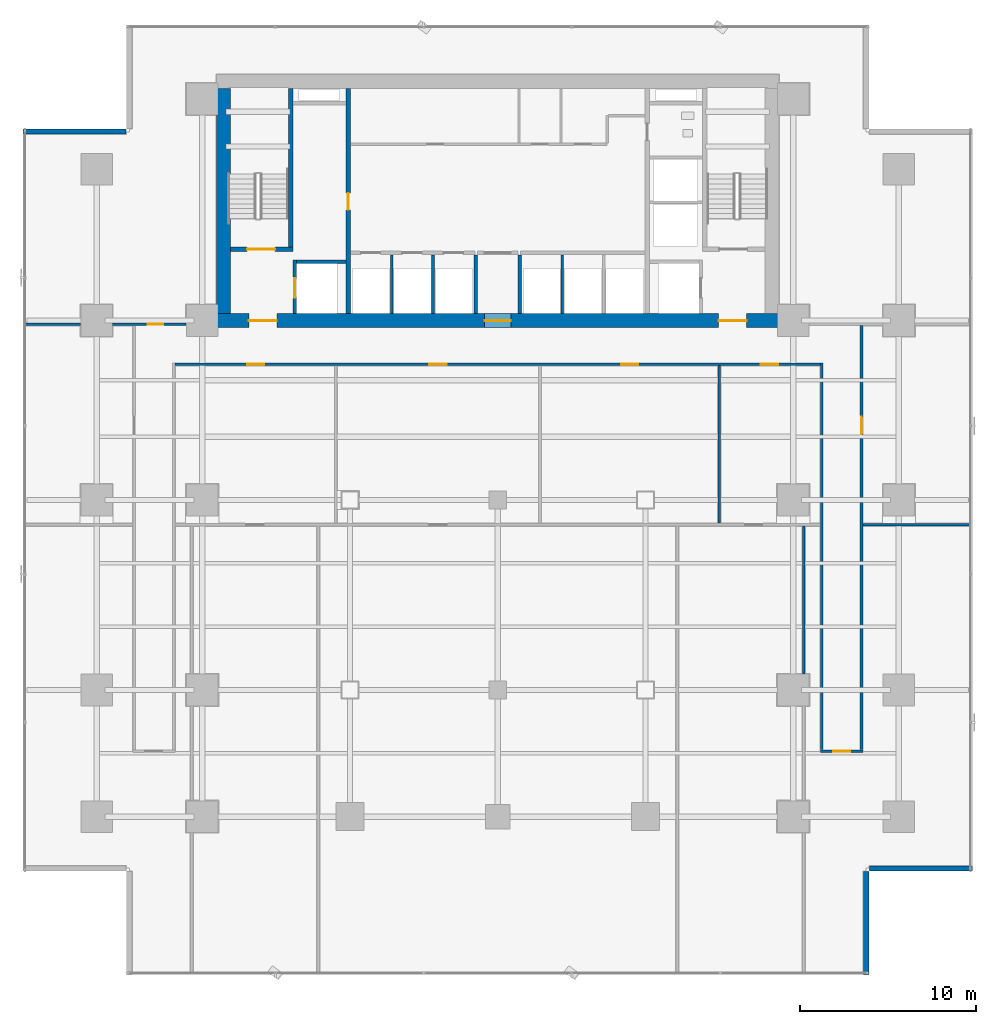
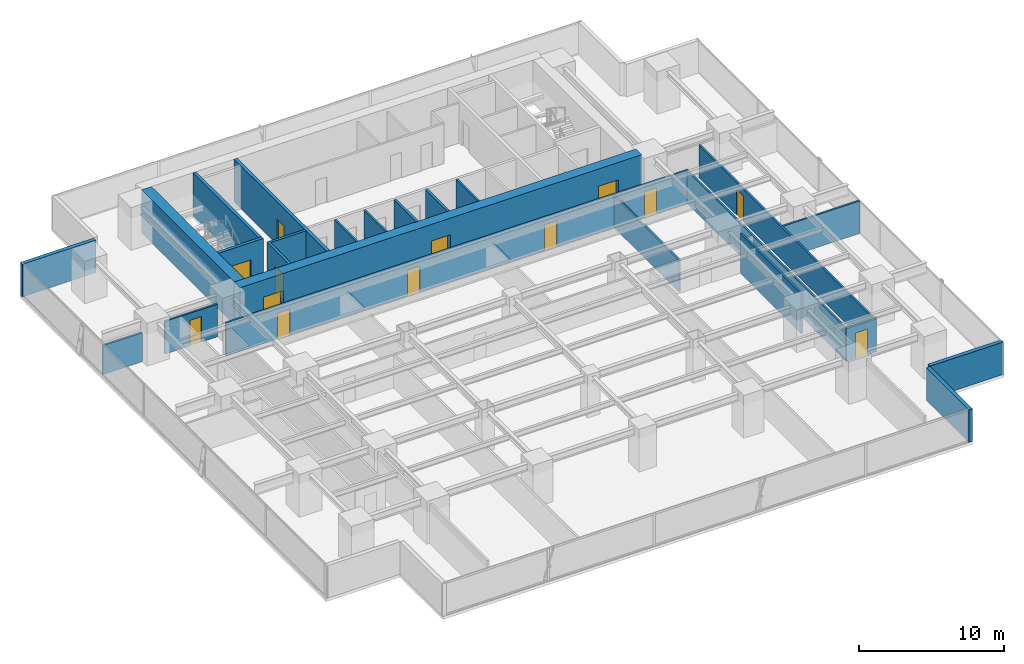
# One storey, part 24 of 32: 24 walls, 13 doors, 13 openings.
"""IFC4 building model written with IfcOpenShell, lengths in metres."""

from ifc_helpers import new_model, si_unit, direction, frame, frame_2d, origin, place, context, subcontext, project, spatial, rectangle, extrude, source, transform, mapped, material, layer, layer_set, type_object, element, fill, save


model = new_model("IFC4")

# Units and contexts
model_context = context("Model", 3, precision=1e-05, world=origin(), true_north=direction((0.0, 1.0)))
body_context = subcontext(model_context, "Body", "Model", "MODEL_VIEW")
ifc_project = project(units=[si_unit("LENGTHUNIT", "METRE"), si_unit("AREAUNIT", "SQUARE_METRE"), si_unit("VOLUMEUNIT", "CUBIC_METRE"), si_unit("PLANEANGLEUNIT", "RADIAN"), si_unit("MASSUNIT", "GRAM", prefix="KILO")], contexts=[model_context])

# Site, building, storey
site_placement = place(None, origin())
site = spatial("IfcSite", under=ifc_project, at=site_placement, CompositionType="ELEMENT")
building_placement = place(site_placement, origin())
building = spatial("IfcBuilding", under=site, at=building_placement, Name="Sumidabori Civic Tower", CompositionType="ELEMENT")
storey_placement = place(building_placement, frame((0.0, 0.0, 45.199951171875)))
storey = spatial("IfcBuildingStorey", under=building, at=storey_placement, Name="L11", CompositionType="ELEMENT", Elevation=45.199951171875)

# Wall, openings, doors
ifc_material_1 = material(Name="Concrete C60/75", Category="concrete")
ifc_layer_1 = layer(ifc_material_1, 0.800048828125, Name="Concrete C60/75")
ifc_layer_set_1 = layer_set([ifc_layer_1], Name="Concrete C60/75")
wall_type_1 = type_object("IfcWallType", Name="WL-CORE-800", PredefinedType="SHEAR", material=ifc_layer_set_1)
shared_shape_1 = source(origin(), body_context, "Body", "SweptSolid", [
    extrude(rectangle(XDim=32.0, YDim=0.800048828125, at=frame_2d((16.0, 0.0))), origin(), (0.0, 0.0, 1.0), 3.60009765625),
])
wall_1_placement = place(storey_placement, frame((-16.0, 10.199951171875, 0.0), z_axis=(0.0, 0.0, 1.0), x_axis=(1.0, 0.0, 0.0)))
wall_1 = element("IfcWall", 1, at=wall_1_placement, inside=storey, type_object=wall_type_1, Name="Core Shear Wall L11 S", PredefinedType="SHEAR", context=body_context, shape_type="MappedRepresentation", body=[
    mapped(shared_shape_1, transform((0.0, 0.0, 0.0), x_axis=(1.0, 0.0, 0.0), y_axis=(0.0, 1.0, 0.0), z_axis=(0.0, 0.0, 1.0), scale=1.0)),
])
opening_1_placement = place(wall_1_placement, frame((1.85009765625, 0.0, 0.0)))
opening_1 = element("IfcOpeningElement", 2, at=opening_1_placement, cuts=wall_1, Name="Opening DR-FD4", PredefinedType="OPENING", context=body_context, shape_type="SweptSolid", body=[
    extrude(rectangle(XDim=1.60009765625, YDim=2.14990234375, at=frame_2d((0.800048828125, 1.074951171875))), frame((0.0, 0.412109375, 0.0), z_axis=(0.0, -1.0, 0.0), x_axis=(1.0, 0.0, 0.0)), (0.0, 0.0, 1.0), 0.823974609375),
])
opening_2_placement = place(wall_1_placement, frame((28.550048828125, 0.0, 0.0)))
opening_2 = element("IfcOpeningElement", 3, at=opening_2_placement, cuts=wall_1, Name="Opening DR-FD4", PredefinedType="OPENING", context=body_context, shape_type="SweptSolid", body=[
    extrude(rectangle(XDim=1.60009765625, YDim=2.14990234375, at=frame_2d((0.800048828125, 1.074951171875))), frame((0.0, 0.412109375, 0.0), z_axis=(0.0, -1.0, 0.0), x_axis=(1.0, 0.0, 0.0)), (0.0, 0.0, 1.0), 0.823974609375),
])
opening_3_placement = place(wall_1_placement, frame((15.25, 0.0, 0.0)))
opening_3 = element("IfcOpeningElement", 4, at=opening_3_placement, cuts=wall_1, Name="Opening DR-FD3", PredefinedType="OPENING", context=body_context, shape_type="SweptSolid", body=[
    extrude(rectangle(XDim=1.5, YDim=2.199951171875, at=frame_2d((0.75, 1.10009765625))), frame((0.0, 0.412109375, 0.0), z_axis=(0.0, -1.0, 0.0), x_axis=(1.0, 0.0, 0.0)), (0.0, 0.0, 1.0), 0.823974609375),
])
ifc_material_2 = material(Name="Steel SN490", Category="steel")
door_type_1 = type_object("IfcDoorType", Name="DR-FD4", OperationType="DOUBLE_DOOR_SINGLE_SWING", PredefinedType="DOOR", material=ifc_material_2)
shared_shape_2 = source(origin(), body_context, "Body", "SweptSolid", [
    extrude(rectangle(XDim=1.60009765625, YDim=2.14990234375, at=frame_2d((0.800048828125, 1.074951171875))), frame((0.0, 0.02490234375, 0.0), z_axis=(0.0, -1.0, 0.0), x_axis=(1.0, 0.0, 0.0)), (0.0, 0.0, 1.0), 0.050048828125),
])
door_1_placement = place(opening_1_placement, origin())
door_1 = element("IfcDoor", 5, at=door_1_placement, inside=storey, type_object=door_type_1, Name="Door DR:L11:ELOB-W", OperationType="DOUBLE_DOOR_SINGLE_SWING", OverallHeight=2.14990234375, OverallWidth=1.60009765625, PredefinedType="DOOR", context=body_context, shape_type="MappedRepresentation", body=[
    mapped(shared_shape_2, transform((0.0, 0.0, 0.0), x_axis=(1.0, 0.0, 0.0), y_axis=(0.0, 1.0, 0.0), z_axis=(0.0, 0.0, 1.0), scale=1.0)),
])
fill(opening_1, door_1)
door_2_placement = place(opening_2_placement, origin())
door_2 = element("IfcDoor", 6, at=door_2_placement, inside=storey, type_object=door_type_1, Name="Door DR:L11:ELOB-E", OperationType="DOUBLE_DOOR_SINGLE_SWING", OverallHeight=2.14990234375, OverallWidth=1.60009765625, PredefinedType="DOOR", context=body_context, shape_type="MappedRepresentation", body=[
    mapped(shared_shape_2, transform((0.0, 0.0, 0.0), x_axis=(1.0, 0.0, 0.0), y_axis=(0.0, 1.0, 0.0), z_axis=(0.0, 0.0, 1.0), scale=1.0)),
])
fill(opening_2, door_2)
door_type_2 = type_object("IfcDoorType", Name="DR-FD-DBL", OperationType="DOUBLE_DOOR_SINGLE_SWING", PredefinedType="DOOR", material=ifc_material_2)
shared_shape_3 = source(origin(), body_context, "Body", "SweptSolid", [
    extrude(rectangle(XDim=1.5, YDim=2.199951171875, at=frame_2d((0.75, 1.10009765625))), frame((0.0, 0.02490234375, 0.0), z_axis=(0.0, -1.0, 0.0), x_axis=(1.0, 0.0, 0.0)), (0.0, 0.0, 1.0), 0.050048828125),
])
door_3_placement = place(opening_3_placement, origin())
door_3 = element("IfcDoor", 7, at=door_3_placement, inside=storey, type_object=door_type_2, Name="Door DR:L11:THROAT-OUT", OperationType="DOUBLE_DOOR_SINGLE_SWING", OverallHeight=2.199951171875, OverallWidth=1.5, PredefinedType="DOOR", context=body_context, shape_type="MappedRepresentation", body=[
    mapped(shared_shape_3, transform((0.0, 0.0, 0.0), x_axis=(1.0, 0.0, 0.0), y_axis=(0.0, 1.0, 0.0), z_axis=(0.0, 0.0, 1.0), scale=1.0)),
])
fill(opening_3, door_3)

# Wall
shared_shape_4 = source(origin(), body_context, "Body", "SweptSolid", [
    extrude(rectangle(XDim=12.7998046875, YDim=0.800048828125, at=frame_2d((6.39990234375, 0.0))), origin(), (0.0, 0.0, 1.0), 3.60009765625),
])
wall_2_placement = place(storey_placement, frame((-15.60009765625, 10.60009765625, 0.0), z_axis=(0.0, 0.0, 1.0), x_axis=(0.0, 1.0, 0.0)))
element("IfcWall", 8, at=wall_2_placement, inside=storey, type_object=wall_type_1, Name="Core Shear Wall L11 W", PredefinedType="SHEAR", context=body_context, shape_type="MappedRepresentation", body=[
    mapped(shared_shape_4, transform((0.0, 0.0, 0.0), x_axis=(1.0, 0.0, 0.0), y_axis=(0.0, 1.0, 0.0), z_axis=(0.0, 0.0, 1.0), scale=1.0)),
])

# Wall, opening, door
ifc_material_3 = material(Name="Concrete C50/60", Category="concrete")
ifc_layer_2 = layer(ifc_material_3, 0.25, Name="Concrete C50/60")
ifc_layer_set_2 = layer_set([ifc_layer_2], Name="Concrete C50/60")
wall_type_2 = type_object("IfcWallType", Name="WL-SHAFT-250", PredefinedType="SHEAR", material=ifc_layer_set_2)
shared_shape_5 = source(origin(), body_context, "Body", "SweptSolid", [
    extrude(rectangle(XDim=12.7998046875, YDim=0.25, at=frame_2d((6.39990234375, 0.0))), origin(), (0.0, 0.0, 1.0), 3.60009765625),
])
wall_3_placement = place(storey_placement, frame((-8.5, 10.60009765625, 0.0), z_axis=(0.0, 0.0, 1.0), x_axis=(0.0, 1.0, 0.0)))
wall_3 = element("IfcWall", 9, at=wall_3_placement, inside=storey, type_object=wall_type_2, Name="Core Shear Wall L11 WEB-W", PredefinedType="SHEAR", context=body_context, shape_type="MappedRepresentation", body=[
    mapped(shared_shape_5, transform((0.0, 0.0, 0.0), x_axis=(1.0, 0.0, 0.0), y_axis=(0.0, 1.0, 0.0), z_axis=(0.0, 0.0, 1.0), scale=1.0)),
])
opening_4_placement = place(wall_3_placement, frame((5.89990234375, 0.0, 0.0)))
opening_4 = element("IfcOpeningElement", 10, at=opening_4_placement, cuts=wall_3, Name="Opening DR-FD2", PredefinedType="OPENING", context=body_context, shape_type="SweptSolid", body=[
    extrude(rectangle(XDim=0.949951171875, YDim=2.14990234375, at=frame_2d((0.47509765625, 1.074951171875))), frame((0.0, 0.136962890625, 0.0), z_axis=(0.0, -1.0, 0.0), x_axis=(1.0, 0.0, 0.0)), (0.0, 0.0, 1.0), 0.27392578125),
])
door_type_3 = type_object("IfcDoorType", Name="DR-FD2", OperationType="NOTDEFINED", PredefinedType="DOOR", material=ifc_material_2)
shared_shape_6 = source(origin(), body_context, "Body", "SweptSolid", [
    extrude(rectangle(XDim=0.949951171875, YDim=2.14990234375, at=frame_2d((0.47509765625, 1.074951171875))), frame((0.0, 0.02490234375, 0.0), z_axis=(0.0, -1.0, 0.0), x_axis=(1.0, 0.0, 0.0)), (0.0, 0.0, 1.0), 0.050048828125),
])
door_4_placement = place(opening_4_placement, origin())
door_4 = element("IfcDoor", 11, at=door_4_placement, inside=storey, type_object=door_type_3, Name="Door DR:L11:CW-STR", OperationType="SINGLE_SWING_LEFT", OverallHeight=2.14990234375, OverallWidth=0.949951171875, PredefinedType="DOOR", context=body_context, shape_type="MappedRepresentation", body=[
    mapped(shared_shape_6, transform((0.0, 0.0, 0.0), x_axis=(1.0, 0.0, 0.0), y_axis=(0.0, 1.0, 0.0), z_axis=(0.0, 0.0, 1.0), scale=1.0)),
])
fill(opening_4, door_4)

shared_shape_7 = source(origin(), body_context, "Body", "SweptSolid", [
    extrude(rectangle(XDim=3.554931640625, YDim=0.25, at=frame_2d((1.77734375, 0.0))), origin(), (0.0, 0.0, 1.0), 3.60009765625),
])
wall_4_placement = place(storey_placement, frame((-15.199951171875, 14.25, 0.0), z_axis=(0.0, 0.0, 1.0), x_axis=(1.0, 0.0, 0.0)))
wall_4 = element("IfcWall", 12, at=wall_4_placement, inside=storey, type_object=wall_type_2, Name="Core Shear Wall L11 ST1-S", PredefinedType="SHEAR", context=body_context, shape_type="MappedRepresentation", body=[
    mapped(shared_shape_7, transform((0.0, 0.0, 0.0), x_axis=(1.0, 0.0, 0.0), y_axis=(0.0, 1.0, 0.0), z_axis=(0.0, 0.0, 1.0), scale=1.0)),
])
opening_5_placement = place(wall_4_placement, frame((0.949951171875, 0.0, 0.0)))
opening_5 = element("IfcOpeningElement", 13, at=opening_5_placement, cuts=wall_4, Name="Opening DR-FD4", PredefinedType="OPENING", context=body_context, shape_type="SweptSolid", body=[
    extrude(rectangle(XDim=1.60009765625, YDim=2.14990234375, at=frame_2d((0.800048828125, 1.074951171875))), frame((0.0, 0.136962890625, 0.0), z_axis=(0.0, -1.0, 0.0), x_axis=(1.0, 0.0, 0.0)), (0.0, 0.0, 1.0), 0.27392578125),
])
door_5_placement = place(opening_5_placement, origin())
door_5 = element("IfcDoor", 14, at=door_5_placement, inside=storey, type_object=door_type_1, Name="Door DR:L11:ST1", OperationType="DOUBLE_DOOR_SINGLE_SWING", OverallHeight=2.14990234375, OverallWidth=1.60009765625, PredefinedType="DOOR", context=body_context, shape_type="MappedRepresentation", body=[
    mapped(shared_shape_2, transform((0.0, 0.0, 0.0), x_axis=(1.0, 0.0, 0.0), y_axis=(0.0, 1.0, 0.0), z_axis=(0.0, 0.0, 1.0), scale=1.0)),
])
fill(opening_5, door_5)

# Wall
shared_shape_8 = source(origin(), body_context, "Body", "SweptSolid", [
    extrude(rectangle(XDim=9.02490234375, YDim=0.25, at=frame_2d((4.512451171875, 0.0))), origin(), (0.0, 0.0, 1.0), 3.60009765625),
])
wall_5_placement = place(storey_placement, frame((-11.77001953125, 14.375, 0.0), z_axis=(0.0, 0.0, 1.0), x_axis=(0.0, 1.0, 0.0)))
element("IfcWall", 15, at=wall_5_placement, inside=storey, type_object=wall_type_2, Name="Core Shear Wall L11 ST1-E", PredefinedType="SHEAR", context=body_context, shape_type="MappedRepresentation", body=[
    mapped(shared_shape_8, transform((0.0, 0.0, 0.0), x_axis=(1.0, 0.0, 0.0), y_axis=(0.0, 1.0, 0.0), z_axis=(0.0, 0.0, 1.0), scale=1.0)),
])

# Wall, opening, door
ifc_layer_3 = layer(ifc_material_3, 0.199951171875, Name="Concrete C50/60")
ifc_layer_set_3 = layer_set([ifc_layer_3], Name="Concrete C50/60")
wall_type_3 = type_object("IfcWallType", Name="WL-SHAFT-200", PredefinedType="SHEAR", material=ifc_layer_set_3)
shared_shape_9 = source(origin(), body_context, "Body", "SweptSolid", [
    extrude(rectangle(XDim=3.0498046875, YDim=0.199951171875, at=frame_2d((1.52490234375, 0.0))), origin(), (0.0, 0.0, 1.0), 3.60009765625),
])
wall_6_placement = place(storey_placement, frame((-11.550048828125, 10.60009765625, 0.0), z_axis=(0.0, 0.0, 1.0), x_axis=(0.0, 1.0, 0.0)))
wall_6 = element("IfcWall", 16, at=wall_6_placement, inside=storey, type_object=wall_type_3, Name="Core Shear Wall L11 EL1-W", PredefinedType="SHEAR", context=body_context, shape_type="MappedRepresentation", body=[
    mapped(shared_shape_9, transform((0.0, 0.0, 0.0), x_axis=(1.0, 0.0, 0.0), y_axis=(0.0, 1.0, 0.0), z_axis=(0.0, 0.0, 1.0), scale=1.0)),
])
opening_6_placement = place(wall_6_placement, frame((0.89990234375, 0.0, 0.0)))
opening_6 = element("IfcOpeningElement", 17, at=opening_6_placement, cuts=wall_6, Name="Opening LD-2", PredefinedType="OPENING", context=body_context, shape_type="SweptSolid", body=[
    extrude(rectangle(XDim=1.10009765625, YDim=2.14990234375, at=frame_2d((0.550048828125, 1.074951171875))), frame((0.0, 0.11181640625, 0.0), z_axis=(0.0, -1.0, 0.0), x_axis=(1.0, 0.0, 0.0)), (0.0, 0.0, 1.0), 0.223876953125),
])
ifc_material_4 = material(Name="Stainless Steel Hairline Finish", Category="steel")
door_type_4 = type_object("IfcDoorType", Name="DR-LD2", OperationType="DOUBLE_DOOR_SLIDING", PredefinedType="DOOR", material=ifc_material_4)
shared_shape_10 = source(origin(), body_context, "Body", "SweptSolid", [
    extrude(rectangle(XDim=1.10009765625, YDim=2.14990234375, at=frame_2d((0.550048828125, 1.074951171875))), frame((0.0, 0.02490234375, 0.0), z_axis=(0.0, -1.0, 0.0), x_axis=(1.0, 0.0, 0.0)), (0.0, 0.0, 1.0), 0.050048828125),
])
door_6_placement = place(opening_6_placement, origin())
door_6 = element("IfcDoor", 18, at=door_6_placement, inside=storey, type_object=door_type_4, Name="Door DR:L11:LD-EL1", OperationType="DOUBLE_DOOR_SLIDING", OverallHeight=2.14990234375, OverallWidth=1.10009765625, PredefinedType="DOOR", context=body_context, shape_type="MappedRepresentation", body=[
    mapped(shared_shape_10, transform((0.0, 0.0, 0.0), x_axis=(1.0, 0.0, 0.0), y_axis=(0.0, 1.0, 0.0), z_axis=(0.0, 0.0, 1.0), scale=1.0)),
])
fill(opening_6, door_6)

# Walls
shared_shape_11 = source(origin(), body_context, "Body", "SweptSolid", [
    extrude(rectangle(XDim=2.824951171875, YDim=0.199951171875, at=frame_2d((1.41259765625, 0.0))), origin(), (0.0, 0.0, 1.0), 3.60009765625),
])
wall_7_placement = place(storey_placement, frame((-11.449951171875, 13.550048828125, 0.0), z_axis=(0.0, 0.0, 1.0), x_axis=(1.0, 0.0, 0.0)))
element("IfcWall", 19, at=wall_7_placement, inside=storey, type_object=wall_type_3, Name="Core Shear Wall L11 EL1-N", PredefinedType="SHEAR", context=body_context, shape_type="MappedRepresentation", body=[
    mapped(shared_shape_11, transform((0.0, 0.0, 0.0), x_axis=(1.0, 0.0, 0.0), y_axis=(0.0, 1.0, 0.0), z_axis=(0.0, 0.0, 1.0), scale=1.0)),
])
ifc_material_5 = material(Name="Precast concrete C40/50", Category="concrete")
ifc_layer_4 = layer(ifc_material_5, 0.300048828125, Name="Precast concrete C40/50")
ifc_layer_set_4 = layer_set([ifc_layer_4], Name="Precast concrete C40/50")
wall_type_4 = type_object("IfcWallType", Name="WL-EXT-POD300", PredefinedType="STANDARD", material=ifc_layer_set_4)
shared_shape_12 = source(origin(), body_context, "Body", "SweptSolid", [
    extrude(rectangle(XDim=5.85986328125, YDim=0.300048828125, at=frame_2d((2.929931640625, 0.0))), origin(), (0.0, 0.0, 1.0), 2.739990234375),
])
for number, where, z_axis, x_axis, name in (
    (20, (20.949951171875, -26.97998046875, 0.0), (0.0, 0.0, 1.0), (0.0, 1.0, 0.0), "Notched Corner Spandrel Band L11-02"),
    (21, (21.1201171875, -20.949951171875, 0.0), (0.0, 0.0, 1.0), (1.0, 0.0, 0.0), "Notched Corner Spandrel Band L11-03"),
    (22, (-21.1201171875, 20.949951171875, 0.0), (0.0, 0.0, 1.0), (-1.0, 0.0, 0.0), "Notched Corner Spandrel Band L11-09"),
):
    element("IfcWall", number, at=place(storey_placement, frame(where, z_axis=z_axis, x_axis=x_axis)), inside=storey, type_object=wall_type_4, Name=name, PredefinedType="STANDARD", context=body_context, shape_type="MappedRepresentation", body=[
        mapped(shared_shape_12, transform((0.0, 0.0, 0.0), x_axis=(1.0, 0.0, 0.0), y_axis=(0.0, 1.0, 0.0), z_axis=(0.0, 0.0, 1.0), scale=1.0)),
    ])
ifc_material_6 = material(Name="Gypsum Plasterboard Fire Partition")
ifc_layer_5 = layer(ifc_material_6, 0.199951171875, Name="Gypsum Plasterboard Fire Partition")
ifc_layer_set_5 = layer_set([ifc_layer_5], Name="Gypsum Plasterboard Fire Partition")
wall_type_5 = type_object("IfcWallType", Name="WL-PART-FIRE", PredefinedType="PARTITIONING", material=ifc_layer_set_5)
shared_shape_13 = source(origin(), body_context, "Body", "SweptSolid", [
    extrude(rectangle(XDim=3.33984375, YDim=0.199951171875, at=frame_2d((1.669921875, 0.0))), origin(), (0.0, 0.0, 1.0), 3.360107421875),
])
for number, where, z_axis, x_axis, name in (
    (23, (-1.25, 10.60009765625, 0.0), (0.0, 0.0, 1.0), (0.0, 1.0, 0.0), "Interior Partition WL:L11:THROAT-W"),
    (24, (1.25, 10.60009765625, 0.0), (0.0, 0.0, 1.0), (0.0, 1.0, 0.0), "Interior Partition WL:L11:THROAT-E"),
):
    element("IfcWall", number, at=place(storey_placement, frame(where, z_axis=z_axis, x_axis=x_axis)), inside=storey, type_object=wall_type_5, Name=name, PredefinedType="PARTITIONING", context=body_context, shape_type="MappedRepresentation", body=[
        mapped(shared_shape_13, transform((0.0, 0.0, 0.0), x_axis=(1.0, 0.0, 0.0), y_axis=(0.0, 1.0, 0.0), z_axis=(0.0, 0.0, 1.0), scale=1.0)),
    ])
ifc_material_7 = material(Name="Gypsum Plasterboard Acoustic Partition")
ifc_layer_6 = layer(ifc_material_7, 0.14990234375, Name="Gypsum Plasterboard Acoustic Partition")
ifc_layer_set_6 = layer_set([ifc_layer_6], Name="Gypsum Plasterboard Acoustic Partition")
wall_type_6 = type_object("IfcWallType", Name="WL-PART-150", PredefinedType="PARTITIONING", material=ifc_layer_set_6)
shared_shape_14 = source(origin(), body_context, "Body", "SweptSolid", [
    extrude(rectangle(XDim=3.33984375, YDim=0.14990234375, at=frame_2d((1.669921875, 0.0))), origin(), (0.0, 0.0, 1.0), 3.360107421875),
])
for number, where, z_axis, x_axis, name in (
    (25, (-6.030029296875, 10.60009765625, 0.0), (0.0, 0.0, 1.0), (0.0, 1.0, 0.0), "Interior Partition WL:L11:DIV-PLL1"),
    (26, (-3.679931640625, 10.60009765625, 0.0), (0.0, 0.0, 1.0), (0.0, 1.0, 0.0), "Interior Partition WL:L11:DIV-PLL2"),
    (27, (3.669921875, 10.60009765625, 0.0), (0.0, 0.0, 1.0), (0.0, 1.0, 0.0), "Interior Partition WL:L11:DIV-PLM1"),
):
    element("IfcWall", number, at=place(storey_placement, frame(where, z_axis=z_axis, x_axis=x_axis)), inside=storey, type_object=wall_type_6, Name=name, PredefinedType="PARTITIONING", context=body_context, shape_type="MappedRepresentation", body=[
        mapped(shared_shape_14, transform((0.0, 0.0, 0.0), x_axis=(1.0, 0.0, 0.0), y_axis=(0.0, 1.0, 0.0), z_axis=(0.0, 0.0, 1.0), scale=1.0)),
    ])
shared_shape_15 = source(origin(), body_context, "Body", "SweptSolid", [
    extrude(rectangle(XDim=3.14013671875, YDim=0.14990234375, at=frame_2d((1.570068359375, 0.0))), origin(), (0.0, 0.0, 1.0), 2.43505859375),
])
wall_8_placement = place(storey_placement, frame((-26.85009765625, 10.0, 0.0), z_axis=(0.0, 0.0, 1.0), x_axis=(1.0, 0.0, 0.0)))
element("IfcWall", 28, at=wall_8_placement, inside=storey, type_object=wall_type_6, Name="Interior Partition WL:L11:FLK-NW-1", PredefinedType="PARTITIONING", context=body_context, shape_type="MappedRepresentation", body=[
    mapped(shared_shape_15, transform((0.0, 0.0, 0.0), x_axis=(1.0, 0.0, 0.0), y_axis=(0.0, 1.0, 0.0), z_axis=(0.0, 0.0, 1.0), scale=1.0)),
])

# Wall, opening, door
shared_shape_16 = source(origin(), body_context, "Body", "SweptSolid", [
    extrude(rectangle(XDim=4.179931640625, YDim=0.14990234375, at=frame_2d((2.08984375, 0.0))), origin(), (0.0, 0.0, 1.0), 2.7451171875),
])
wall_9_placement = place(storey_placement, frame((-21.889892578125, 10.0, 0.0), z_axis=(0.0, 0.0, 1.0), x_axis=(1.0, 0.0, 0.0)))
wall_9 = element("IfcWall", 29, at=wall_9_placement, inside=storey, type_object=wall_type_6, Name="Interior Partition WL:L11:FLK-NW-2", PredefinedType="PARTITIONING", context=body_context, shape_type="MappedRepresentation", body=[
    mapped(shared_shape_16, transform((0.0, 0.0, 0.0), x_axis=(1.0, 0.0, 0.0), y_axis=(0.0, 1.0, 0.0), z_axis=(0.0, 0.0, 1.0), scale=1.0)),
])
opening_7_placement = place(wall_9_placement, frame((1.985107421875, 0.0, 0.0)))
opening_7 = element("IfcOpeningElement", 30, at=opening_7_placement, cuts=wall_9, Name="Opening DR-1", PredefinedType="OPENING", context=body_context, shape_type="SweptSolid", body=[
    extrude(rectangle(XDim=0.89990234375, YDim=2.14990234375, at=frame_2d((0.449951171875, 1.074951171875))), frame((0.0, 0.0869140625, 0.0), z_axis=(0.0, -1.0, 0.0), x_axis=(1.0, 0.0, 0.0)), (0.0, 0.0, 1.0), 0.173828125),
])
ifc_material_8 = material(Name="Japanese Hinoki Timber", Category="wood")
door_type_5 = type_object("IfcDoorType", Name="DR-INT-900", OperationType="NOTDEFINED", PredefinedType="DOOR", material=ifc_material_8)
shared_shape_17 = source(origin(), body_context, "Body", "SweptSolid", [
    extrude(rectangle(XDim=0.89990234375, YDim=2.14990234375, at=frame_2d((0.449951171875, 1.074951171875))), frame((0.0, 0.02490234375, 0.0), z_axis=(0.0, -1.0, 0.0), x_axis=(1.0, 0.0, 0.0)), (0.0, 0.0, 1.0), 0.050048828125),
])
door_7_placement = place(opening_7_placement, origin())
door_7 = element("IfcDoor", 31, at=door_7_placement, inside=storey, type_object=door_type_5, Name="Door DR:L11:FLK-NE", OperationType="SINGLE_SWING_LEFT", OverallHeight=2.14990234375, OverallWidth=0.89990234375, PredefinedType="DOOR", context=body_context, shape_type="MappedRepresentation", body=[
    mapped(shared_shape_17, transform((0.0, 0.0, 0.0), x_axis=(1.0, 0.0, 0.0), y_axis=(0.0, 1.0, 0.0), z_axis=(0.0, 0.0, 1.0), scale=1.0)),
])
fill(opening_7, door_7)

# Wall, openings, doors
shared_shape_18 = source(origin(), body_context, "Body", "SweptSolid", [
    extrude(rectangle(XDim=36.7001953125, YDim=0.14990234375, at=frame_2d((18.35009765625, 0.0))), origin(), (0.0, 0.0, 1.0), 2.7451171875),
])
wall_10_placement = place(storey_placement, frame((-18.35009765625, 7.72509765625, 0.0), z_axis=(0.0, 0.0, 1.0), x_axis=(1.0, 0.0, 0.0)))
wall_10 = element("IfcWall", 32, at=wall_10_placement, inside=storey, type_object=wall_type_6, Name="Interior Partition WL:L11:CORR-S", PredefinedType="PARTITIONING", context=body_context, shape_type="MappedRepresentation", body=[
    mapped(shared_shape_18, transform((0.0, 0.0, 0.0), x_axis=(1.0, 0.0, 0.0), y_axis=(0.0, 1.0, 0.0), z_axis=(0.0, 0.0, 1.0), scale=1.0)),
])
opening_8_placement = place(wall_10_placement, frame((33.3125, 0.0, 0.0)))
opening_8 = element("IfcOpeningElement", 33, at=opening_8_placement, cuts=wall_10, Name="Opening DR-3", PredefinedType="OPENING", context=body_context, shape_type="SweptSolid", body=[
    extrude(rectangle(XDim=0.97998046875, YDim=2.14990234375, at=frame_2d((0.489990234375, 1.074951171875))), frame((0.0, 0.0869140625, 0.0), z_axis=(0.0, -1.0, 0.0), x_axis=(1.0, 0.0, 0.0)), (0.0, 0.0, 1.0), 0.173828125),
])
opening_9_placement = place(wall_10_placement, frame((4.107421875, 0.0, 0.0)))
opening_9 = element("IfcOpeningElement", 34, at=opening_9_placement, cuts=wall_10, Name="Opening DR-3", PredefinedType="OPENING", context=body_context, shape_type="SweptSolid", body=[
    extrude(rectangle(XDim=0.97998046875, YDim=2.14990234375, at=frame_2d((0.489990234375, 1.074951171875))), frame((0.0, 0.0869140625, 0.0), z_axis=(0.0, -1.0, 0.0), x_axis=(1.0, 0.0, 0.0)), (0.0, 0.0, 1.0), 0.173828125),
])
opening_10_placement = place(wall_10_placement, frame((14.4599609375, 0.0, 0.0)))
opening_10 = element("IfcOpeningElement", 35, at=opening_10_placement, cuts=wall_10, Name="Opening DR-3", PredefinedType="OPENING", context=body_context, shape_type="SweptSolid", body=[
    extrude(rectangle(XDim=0.97998046875, YDim=2.14990234375, at=frame_2d((0.489990234375, 1.074951171875))), frame((0.0, 0.0869140625, 0.0), z_axis=(0.0, -1.0, 0.0), x_axis=(1.0, 0.0, 0.0)), (0.0, 0.0, 1.0), 0.173828125),
])
opening_11_placement = place(wall_10_placement, frame((25.360107421875, 0.0, 0.0)))
opening_11 = element("IfcOpeningElement", 36, at=opening_11_placement, cuts=wall_10, Name="Opening DR-3", PredefinedType="OPENING", context=body_context, shape_type="SweptSolid", body=[
    extrude(rectangle(XDim=0.97998046875, YDim=2.14990234375, at=frame_2d((0.489990234375, 1.074951171875))), frame((0.0, 0.0869140625, 0.0), z_axis=(0.0, -1.0, 0.0), x_axis=(1.0, 0.0, 0.0)), (0.0, 0.0, 1.0), 0.173828125),
])
door_type_6 = type_object("IfcDoorType", Name="DR-INT-980", OperationType="NOTDEFINED", PredefinedType="DOOR", material=ifc_material_8)
shared_shape_19 = source(origin(), body_context, "Body", "SweptSolid", [
    extrude(rectangle(XDim=0.97998046875, YDim=2.14990234375, at=frame_2d((0.489990234375, 1.074951171875))), frame((0.0, 0.02490234375, 0.0), z_axis=(0.0, -1.0, 0.0), x_axis=(1.0, 0.0, 0.0)), (0.0, 0.0, 1.0), 0.050048828125),
])
door_8_placement = place(opening_8_placement, origin())
door_8 = element("IfcDoor", 37, at=door_8_placement, inside=storey, type_object=door_type_6, Name="Door DR:L11:D04", OperationType="SINGLE_SWING_RIGHT", OverallHeight=2.14990234375, OverallWidth=0.97998046875, PredefinedType="DOOR", context=body_context, shape_type="MappedRepresentation", body=[
    mapped(shared_shape_19, transform((0.0, 0.0, 0.0), x_axis=(1.0, 0.0, 0.0), y_axis=(0.0, 1.0, 0.0), z_axis=(0.0, 0.0, 1.0), scale=1.0)),
])
fill(opening_8, door_8)
door_9_placement = place(opening_9_placement, origin())
door_9 = element("IfcDoor", 38, at=door_9_placement, inside=storey, type_object=door_type_6, Name="Door DR:L11:D05", OperationType="SINGLE_SWING_LEFT", OverallHeight=2.14990234375, OverallWidth=0.97998046875, PredefinedType="DOOR", context=body_context, shape_type="MappedRepresentation", body=[
    mapped(shared_shape_19, transform((0.0, 0.0, 0.0), x_axis=(1.0, 0.0, 0.0), y_axis=(0.0, 1.0, 0.0), z_axis=(0.0, 0.0, 1.0), scale=1.0)),
])
fill(opening_9, door_9)
door_10_placement = place(opening_10_placement, origin())
door_10 = element("IfcDoor", 39, at=door_10_placement, inside=storey, type_object=door_type_6, Name="Door DR:L11:D06", OperationType="SINGLE_SWING_RIGHT", OverallHeight=2.14990234375, OverallWidth=0.97998046875, PredefinedType="DOOR", context=body_context, shape_type="MappedRepresentation", body=[
    mapped(shared_shape_19, transform((0.0, 0.0, 0.0), x_axis=(1.0, 0.0, 0.0), y_axis=(0.0, 1.0, 0.0), z_axis=(0.0, 0.0, 1.0), scale=1.0)),
])
fill(opening_10, door_10)
door_11_placement = place(opening_11_placement, origin())
door_11 = element("IfcDoor", 40, at=door_11_placement, inside=storey, type_object=door_type_6, Name="Door DR:L11:D07", OperationType="SINGLE_SWING_LEFT", OverallHeight=2.14990234375, OverallWidth=0.97998046875, PredefinedType="DOOR", context=body_context, shape_type="MappedRepresentation", body=[
    mapped(shared_shape_19, transform((0.0, 0.0, 0.0), x_axis=(1.0, 0.0, 0.0), y_axis=(0.0, 1.0, 0.0), z_axis=(0.0, 0.0, 1.0), scale=1.0)),
])
fill(opening_11, door_11)

# Wall, opening, door
shared_shape_20 = source(origin(), body_context, "Body", "SweptSolid", [
    extrude(rectangle(XDim=2.39990234375, YDim=0.14990234375, at=frame_2d((1.199951171875, 0.0))), origin(), (0.0, 0.0, 1.0), 2.89501953125),
])
wall_11_placement = place(storey_placement, frame((18.35009765625, -14.27490234375, 0.0), z_axis=(0.0, 0.0, 1.0), x_axis=(1.0, 0.0, 0.0)))
wall_11 = element("IfcWall", 41, at=wall_11_placement, inside=storey, type_object=wall_type_6, Name="Interior Partition WL:L11:CORR-CAP-E", PredefinedType="PARTITIONING", context=body_context, shape_type="MappedRepresentation", body=[
    mapped(shared_shape_20, transform((0.0, 0.0, 0.0), x_axis=(1.0, 0.0, 0.0), y_axis=(0.0, 1.0, 0.0), z_axis=(0.0, 0.0, 1.0), scale=1.0)),
])
opening_12_placement = place(wall_11_placement, frame((0.7099609375, 0.0, 0.0)))
opening_12 = element("IfcOpeningElement", 42, at=opening_12_placement, cuts=wall_11, Name="Opening DR-3", PredefinedType="OPENING", context=body_context, shape_type="SweptSolid", body=[
    extrude(rectangle(XDim=0.97998046875, YDim=2.14990234375, at=frame_2d((0.489990234375, 1.074951171875))), frame((0.0, 0.0869140625, 0.0), z_axis=(0.0, -1.0, 0.0), x_axis=(1.0, 0.0, 0.0)), (0.0, 0.0, 1.0), 0.173828125),
])
door_12_placement = place(opening_12_placement, origin())
door_12 = element("IfcDoor", 43, at=door_12_placement, inside=storey, type_object=door_type_6, Name="Door DR:L11:D09", OperationType="SINGLE_SWING_LEFT", OverallHeight=2.14990234375, OverallWidth=0.97998046875, PredefinedType="DOOR", context=body_context, shape_type="MappedRepresentation", body=[
    mapped(shared_shape_19, transform((0.0, 0.0, 0.0), x_axis=(1.0, 0.0, 0.0), y_axis=(0.0, 1.0, 0.0), z_axis=(0.0, 0.0, 1.0), scale=1.0)),
])
fill(opening_12, door_12)

shared_shape_21 = source(origin(), body_context, "Body", "SweptSolid", [
    extrude(rectangle(XDim=24.114990234375, YDim=0.14990234375, at=frame_2d((12.0576171875, 0.0))), origin(), (0.0, 0.0, 1.0), 2.7451171875),
])
wall_12_placement = place(storey_placement, frame((20.675048828125, -14.195068359375, 0.0), z_axis=(0.0, 0.0, 1.0), x_axis=(0.0, 1.0, 0.0)))
wall_12 = element("IfcWall", 44, at=wall_12_placement, inside=storey, type_object=wall_type_6, Name="Interior Partition WL:L11:CORR-VE-OUT", PredefinedType="PARTITIONING", context=body_context, shape_type="MappedRepresentation", body=[
    mapped(shared_shape_21, transform((0.0, 0.0, 0.0), x_axis=(1.0, 0.0, 0.0), y_axis=(0.0, 1.0, 0.0), z_axis=(0.0, 0.0, 1.0), scale=1.0)),
])
opening_13_placement = place(wall_12_placement, frame((17.9423828125, 0.0, 0.0)))
opening_13 = element("IfcOpeningElement", 45, at=opening_13_placement, cuts=wall_12, Name="Opening DR-3", PredefinedType="OPENING", context=body_context, shape_type="SweptSolid", body=[
    extrude(rectangle(XDim=0.97998046875, YDim=2.14990234375, at=frame_2d((0.489990234375, 1.074951171875))), frame((0.0, 0.0869140625, 0.0), z_axis=(0.0, -1.0, 0.0), x_axis=(1.0, 0.0, 0.0)), (0.0, 0.0, 1.0), 0.173828125),
])
door_13_placement = place(opening_13_placement, origin())
door_13 = element("IfcDoor", 46, at=door_13_placement, inside=storey, type_object=door_type_6, Name="Door DR:L11:D03", OperationType="SINGLE_SWING_LEFT", OverallHeight=2.14990234375, OverallWidth=0.97998046875, PredefinedType="DOOR", context=body_context, shape_type="MappedRepresentation", body=[
    mapped(shared_shape_19, transform((0.0, 0.0, 0.0), x_axis=(1.0, 0.0, 0.0), y_axis=(0.0, 1.0, 0.0), z_axis=(0.0, 0.0, 1.0), scale=1.0)),
])
fill(opening_13, door_13)

# Walls
shared_shape_22 = source(origin(), body_context, "Body", "SweptSolid", [
    extrude(rectangle(XDim=21.9951171875, YDim=0.14990234375, at=frame_2d((10.99755859375, 0.0))), origin(), (0.0, 0.0, 1.0), 2.7451171875),
])
wall_13_placement = place(storey_placement, frame((18.425048828125, -14.195068359375, 0.0), z_axis=(0.0, 0.0, 1.0), x_axis=(0.0, 1.0, 0.0)))
element("IfcWall", 47, at=wall_13_placement, inside=storey, type_object=wall_type_6, Name="Interior Partition WL:L11:CORR-VE-IN", PredefinedType="PARTITIONING", context=body_context, shape_type="MappedRepresentation", body=[
    mapped(shared_shape_22, transform((0.0, 0.0, 0.0), x_axis=(1.0, 0.0, 0.0), y_axis=(0.0, 1.0, 0.0), z_axis=(0.0, 0.0, 1.0), scale=1.0)),
])
shared_shape_23 = source(origin(), body_context, "Body", "SweptSolid", [
    extrude(rectangle(XDim=6.09521484375, YDim=0.14990234375, at=frame_2d((3.047607421875, 0.0))), origin(), (0.0, 0.0, 1.0), 2.7451171875),
])
wall_14_placement = place(storey_placement, frame((20.7548828125, -1.39990234375, 0.0), z_axis=(0.0, 0.0, 1.0), x_axis=(1.0, 0.0, 0.0)))
element("IfcWall", 48, at=wall_14_placement, inside=storey, type_object=wall_type_6, Name="Interior Partition WL:L11:BAND-Y-3", PredefinedType="PARTITIONING", context=body_context, shape_type="MappedRepresentation", body=[
    mapped(shared_shape_23, transform((0.0, 0.0, 0.0), x_axis=(1.0, 0.0, 0.0), y_axis=(0.0, 1.0, 0.0), z_axis=(0.0, 0.0, 1.0), scale=1.0)),
])
shared_shape_24 = source(origin(), body_context, "Body", "SweptSolid", [
    extrude(rectangle(XDim=8.965087890625, YDim=0.14990234375, at=frame_2d((4.482421875, 0.0))), origin(), (0.0, 0.0, 1.0), 2.64501953125),
])
wall_15_placement = place(storey_placement, frame((12.60009765625, -1.320068359375, 0.0), z_axis=(0.0, 0.0, 1.0), x_axis=(0.0, 1.0, 0.0)))
element("IfcWall", 49, at=wall_15_placement, inside=storey, type_object=wall_type_6, Name="Interior Partition WL:L11:VX-N4", PredefinedType="PARTITIONING", context=body_context, shape_type="MappedRepresentation", body=[
    mapped(shared_shape_24, transform((0.0, 0.0, 0.0), x_axis=(1.0, 0.0, 0.0), y_axis=(0.0, 1.0, 0.0), z_axis=(0.0, 0.0, 1.0), scale=1.0)),
])
shared_shape_25 = source(origin(), body_context, "Body", "SweptSolid", [
    extrude(rectangle(XDim=8.409912109375, YDim=0.14990234375, at=frame_2d((4.205078125, 0.0))), origin(), (0.0, 0.0, 1.0), 3.360107421875),
])
wall_16_placement = place(storey_placement, frame((17.39990234375, -9.889892578125, 0.0), z_axis=(0.0, 0.0, 1.0), x_axis=(0.0, 1.0, 0.0)))
element("IfcWall", 50, at=wall_16_placement, inside=storey, type_object=wall_type_6, Name="Interior Partition WL:L11:VX-S4-3", PredefinedType="PARTITIONING", context=body_context, shape_type="MappedRepresentation", body=[
    mapped(shared_shape_25, transform((0.0, 0.0, 0.0), x_axis=(1.0, 0.0, 0.0), y_axis=(0.0, 1.0, 0.0), z_axis=(0.0, 0.0, 1.0), scale=1.0)),
])

save(model, "model.ifc")
